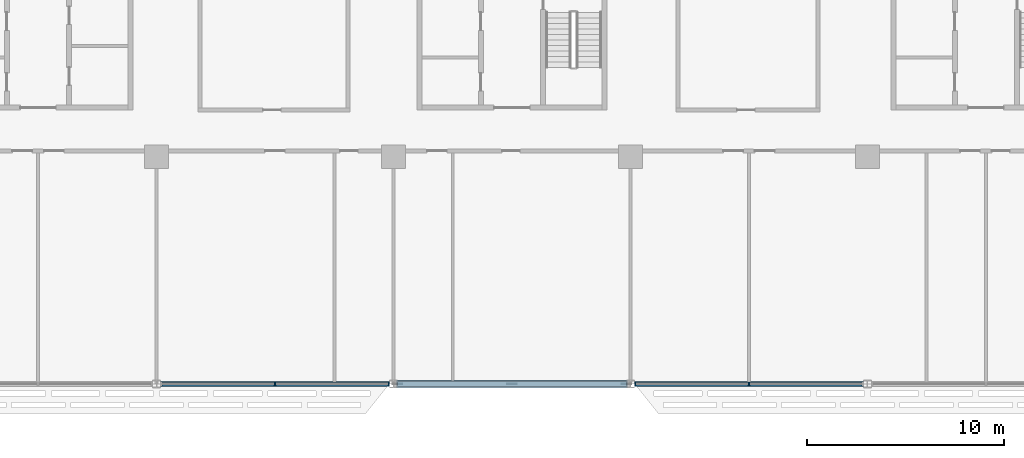
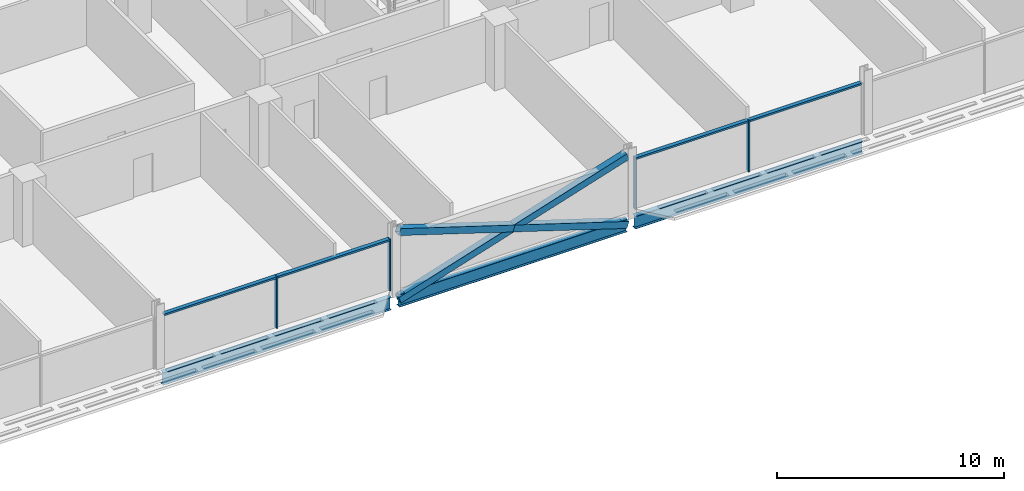
# One storey, part 5 of 27: 11 members, 3 beams, 2 elements without a shape of their own.
"""IFC4 building model written with IfcOpenShell, lengths in metres."""

from ifc_helpers import new_model, si_unit, direction, frame, origin, origin_2d, place, context, subcontext, project, spatial, rectangle, hollow_rectangle, i_section, extrude, material, material_profile, profile_set, type_object, element, aggregate, save


model = new_model("IFC4")

# Units and contexts
model_context = context("Model", 3, precision=1e-05, world=origin(), true_north=direction((0.0, 1.0)))
body_context = subcontext(model_context, "Body", "Model", "MODEL_VIEW")
ifc_project = project(units=[si_unit("LENGTHUNIT", "METRE"), si_unit("AREAUNIT", "SQUARE_METRE"), si_unit("VOLUMEUNIT", "CUBIC_METRE"), si_unit("PLANEANGLEUNIT", "RADIAN"), si_unit("MASSUNIT", "GRAM", prefix="KILO")], contexts=[model_context])

# Site, building, storey
site_placement = place(None, origin())
site = spatial("IfcSite", under=ifc_project, at=site_placement, CompositionType="ELEMENT")
building_placement = place(site_placement, origin())
building = spatial("IfcBuilding", under=site, at=building_placement, Name="Mahtab Terrace Research Tower", CompositionType="ELEMENT")
storey_placement = place(building_placement, frame((0.0, 0.0, 182.0)))
storey = spatial("IfcBuildingStorey", under=building, at=storey_placement, Name="L43", CompositionType="ELEMENT", Elevation=182.0)

# Members
ifc_material_1 = material(Name="Steel ASTM A500 Gr C", Category="steel")
ifc_material_profile_1 = material_profile(ifc_material_1, hollow_rectangle(XDim=0.355712890625, YDim=0.355712890625, WallThickness=0.015869140625, at=origin_2d()), Name="HSS14X14X5/8")
ifc_profile_set_1 = profile_set([ifc_material_profile_1], Name="Steel ASTM A500 Gr C")
member_type_1 = type_object("IfcMemberType", Name="HSS 14x14x5/8 brace XB141458", PredefinedType="BRACE", material=ifc_profile_set_1)
member_1_placement = place(storey_placement, frame((-5.796875, -23.0, -0.61474609375), z_axis=(0.953341454971, 0.0, 0.301894137463), x_axis=(0.0, 1.0, 0.0)))
element("IfcMember", 1, at=member_1_placement, inside=storey, type_object=member_type_1, Name="Exoskeleton brace L43 15 a", PredefinedType="BRACE", context=body_context, shape_type="SweptSolid", body=[
    extrude(hollow_rectangle(XDim=0.355712890625, YDim=0.355712890625, WallThickness=0.015869140625, at=origin_2d()), origin(), (0.0, 0.0, 1.0), 12.1611328125),
])
for number, where, z_axis, x_axis, name in (
    (2, (5.796875, -23.0, -0.61474609375), (-0.953341454971, 0.0, 0.301894137463), (0.0, -1.0, 0.0), "Exoskeleton brace L43 15 b1"),
    (3, (0.0, -23.0, 1.220947265625), (-0.953341454971, 0.0, 0.301894137463), (0.0, -1.0, 0.0), "Exoskeleton brace L43 15 b2"),
):
    element("IfcMember", number, at=place(storey_placement, frame(where, z_axis=z_axis, x_axis=x_axis)), inside=storey, type_object=member_type_1, Name=name, PredefinedType="BRACE", context=body_context, shape_type="SweptSolid", body=[
        extrude(hollow_rectangle(XDim=0.355712890625, YDim=0.355712890625, WallThickness=0.015869140625, at=origin_2d()), origin(), (0.0, 0.0, 1.0), 6.08056640625),
    ])

# Curtain wall, members
ifc_material_2 = material(Name="Laboratory ribbon curtain wall")
curtain_wall_type = type_object("IfcCurtainWallType", Name="Laboratory ribbon curtain wall", PredefinedType="NOTDEFINED", material=ifc_material_2)
curtain_wall_1_placement = place(storey_placement, origin())
curtain_wall_1 = element("IfcCurtainWall", 4, at=curtain_wall_1_placement, inside=storey, type_object=curtain_wall_type, Name="EN.L43.13.25", PredefinedType="NOTDEFINED")
ifc_material_3 = material(Name="Natural anodised aluminium", Category="aluminium")
ifc_material_profile_2 = material_profile(ifc_material_3, rectangle(XDim=0.199951171875, YDim=0.06494140625, at=origin_2d()), Name="MULLION 65x200")
ifc_profile_set_2 = profile_set([ifc_material_profile_2], Name="Natural anodised aluminium")
member_type_2 = type_object("IfcMemberType", Name="Laboratory ribbon curtain wall mullion", PredefinedType="MULLION", material=ifc_profile_set_2)
member_2_placement = place(storey_placement, frame((-12.0, -23.0, 0.0), z_axis=(0.0, 0.0, 1.0), x_axis=(0.0, 1.0, 0.0)))
member_2 = element("IfcMember", 5, at=member_2_placement, type_object=member_type_2, Name="CWL-5 mullion 2", PredefinedType="MULLION", context=body_context, shape_type="SweptSolid", body=[
    extrude(rectangle(XDim=0.199951171875, YDim=0.06494140625, at=origin_2d()), origin(), (0.0, 0.0, 1.0), 2.78173828125),
])
member_3_placement = place(storey_placement, frame((-6.240478515625, -23.0, 0.0), z_axis=(0.0, 0.0, 1.0), x_axis=(0.0, 1.0, 0.0)))
member_3 = element("IfcMember", 6, at=member_3_placement, type_object=member_type_2, Name="CWL-5 mullion 3", PredefinedType="MULLION", context=body_context, shape_type="SweptSolid", body=[
    extrude(rectangle(XDim=0.199951171875, YDim=0.06494140625, at=origin_2d()), origin(), (0.0, 0.0, 1.0), 2.78173828125),
])

curtain_wall_2_placement = place(storey_placement, origin())
curtain_wall_2 = element("IfcCurtainWall", 7, at=curtain_wall_2_placement, inside=storey, type_object=curtain_wall_type, Name="EN.L43.13.27", PredefinedType="NOTDEFINED")
member_4_placement = place(storey_placement, frame((6.240478515625, -23.0, 0.0), z_axis=(0.0, 0.0, 1.0), x_axis=(0.0, 1.0, 0.0)))
member_4 = element("IfcMember", 8, at=member_4_placement, type_object=member_type_2, Name="CWL-5 mullion 1", PredefinedType="MULLION", context=body_context, shape_type="SweptSolid", body=[
    extrude(rectangle(XDim=0.199951171875, YDim=0.06494140625, at=origin_2d()), origin(), (0.0, 0.0, 1.0), 2.78173828125),
])
member_5_placement = place(storey_placement, frame((12.0, -23.0, 0.0), z_axis=(0.0, 0.0, 1.0), x_axis=(0.0, 1.0, 0.0)))
member_5 = element("IfcMember", 9, at=member_5_placement, type_object=member_type_2, Name="CWL-5 mullion 2", PredefinedType="MULLION", context=body_context, shape_type="SweptSolid", body=[
    extrude(rectangle(XDim=0.199951171875, YDim=0.06494140625, at=origin_2d()), origin(), (0.0, 0.0, 1.0), 2.78173828125),
])

# Member
ifc_material_profile_3 = material_profile(ifc_material_3, rectangle(XDim=0.199951171875, YDim=0.10009765625, at=origin_2d()), Name="TRANSOM 100x200")
ifc_profile_set_3 = profile_set([ifc_material_profile_3], Name="Natural anodised aluminium")
member_type_3 = type_object("IfcMemberType", Name="Laboratory ribbon curtain wall transom", PredefinedType="USERDEFINED", material=ifc_profile_set_3)
member_6_placement = place(storey_placement, frame((-17.72705078125, -23.0, 2.731689453125), z_axis=(1.0, 0.0, 0.0), x_axis=(0.0, 1.0, 0.0)))
member_6 = element("IfcMember", 10, at=member_6_placement, type_object=member_type_3, Name="CWL-5 transom 1", ObjectType="TRANSOM", PredefinedType="USERDEFINED", context=body_context, shape_type="SweptSolid", body=[
    extrude(rectangle(XDim=0.199951171875, YDim=0.10009765625, at=origin_2d()), origin(), (0.0, 0.0, 1.0), 5.694580078125),
])

member_7_placement = place(storey_placement, frame((-11.967529296875, -23.0, 2.731689453125), z_axis=(1.0, 0.0, 0.0), x_axis=(0.0, 1.0, 0.0)))
member_7 = element("IfcMember", 11, at=member_7_placement, type_object=member_type_3, Name="CWL-5 transom 2", ObjectType="TRANSOM", PredefinedType="USERDEFINED", context=body_context, shape_type="SweptSolid", body=[
    extrude(rectangle(XDim=0.199951171875, YDim=0.10009765625, at=origin_2d()), origin(), (0.0, 0.0, 1.0), 5.694580078125),
])

aggregate(curtain_wall_1, [member_2, member_3, member_6, member_7])

member_8_placement = place(storey_placement, frame((6.27294921875, -23.0, 2.731689453125), z_axis=(1.0, 0.0, 0.0), x_axis=(0.0, 1.0, 0.0)))
member_8 = element("IfcMember", 12, at=member_8_placement, type_object=member_type_3, Name="CWL-5 transom 1", ObjectType="TRANSOM", PredefinedType="USERDEFINED", context=body_context, shape_type="SweptSolid", body=[
    extrude(rectangle(XDim=0.199951171875, YDim=0.10009765625, at=origin_2d()), origin(), (0.0, 0.0, 1.0), 5.694580078125),
])

member_9_placement = place(storey_placement, frame((12.032470703125, -23.0, 2.731689453125), z_axis=(1.0, 0.0, 0.0), x_axis=(0.0, 1.0, 0.0)))
member_9 = element("IfcMember", 13, at=member_9_placement, type_object=member_type_3, Name="CWL-5 transom 2", ObjectType="TRANSOM", PredefinedType="USERDEFINED", context=body_context, shape_type="SweptSolid", body=[
    extrude(rectangle(XDim=0.199951171875, YDim=0.10009765625, at=origin_2d()), origin(), (0.0, 0.0, 1.0), 5.694580078125),
])

aggregate(curtain_wall_2, [member_4, member_5, member_8, member_9])

# Beams
ifc_material_4 = material(Name="Steel ASTM A992 Gr 50", Category="steel")
ifc_material_profile_4 = material_profile(ifc_material_4, i_section(OverallWidth=0.25390625, OverallDepth=0.67822265625, WebThickness=0.01171875, FlangeThickness=0.016357421875, at=origin_2d()), Name="W27X84")
ifc_profile_set_4 = profile_set([ifc_material_profile_4], Name="Steel ASTM A992 Gr 50")
beam_type = type_object("IfcBeamType", Name="W27x84 beam BS2784", PredefinedType="BEAM", material=ifc_profile_set_4)
for number, where, z_axis, x_axis, name in (
    (14, (-17.796875, -23.0, -0.67919921875), (1.0, 0.0, 0.0), (0.0, 1.0, 0.0), "Spandrel beam L43 14"),
    (15, (-5.796875, -23.0, -0.67919921875), (1.0, 0.0, 0.0), (0.0, 1.0, 0.0), "Spandrel beam L43 15"),
    (16, (6.203125, -23.0, -0.67919921875), (1.0, 0.0, 0.0), (0.0, 1.0, 0.0), "Spandrel beam L43 16"),
):
    element("IfcBeam", number, at=place(storey_placement, frame(where, z_axis=z_axis, x_axis=x_axis)), inside=storey, type_object=beam_type, Name=name, PredefinedType="BEAM", context=body_context, shape_type="SweptSolid", body=[
        extrude(i_section(OverallWidth=0.25390625, OverallDepth=0.67822265625, WebThickness=0.01171875, FlangeThickness=0.016357421875, at=origin_2d()), origin(), (0.0, 0.0, 1.0), 11.59375),
    ])

save(model, "model.ifc")
